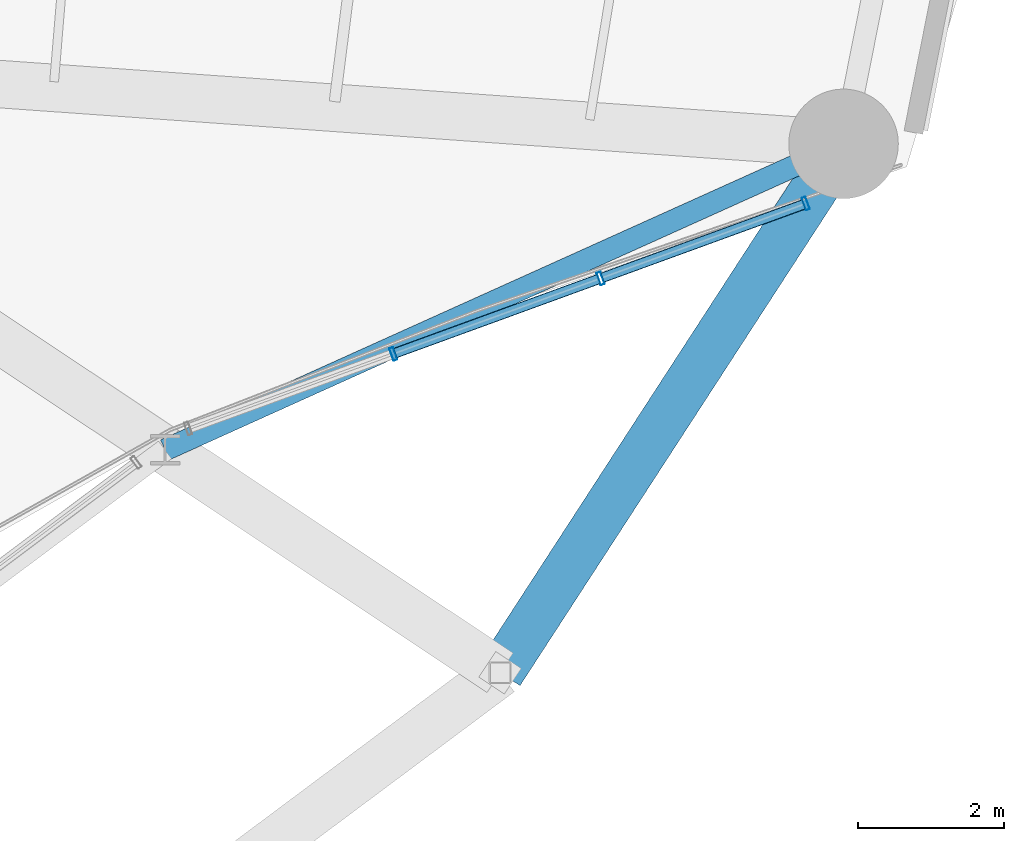
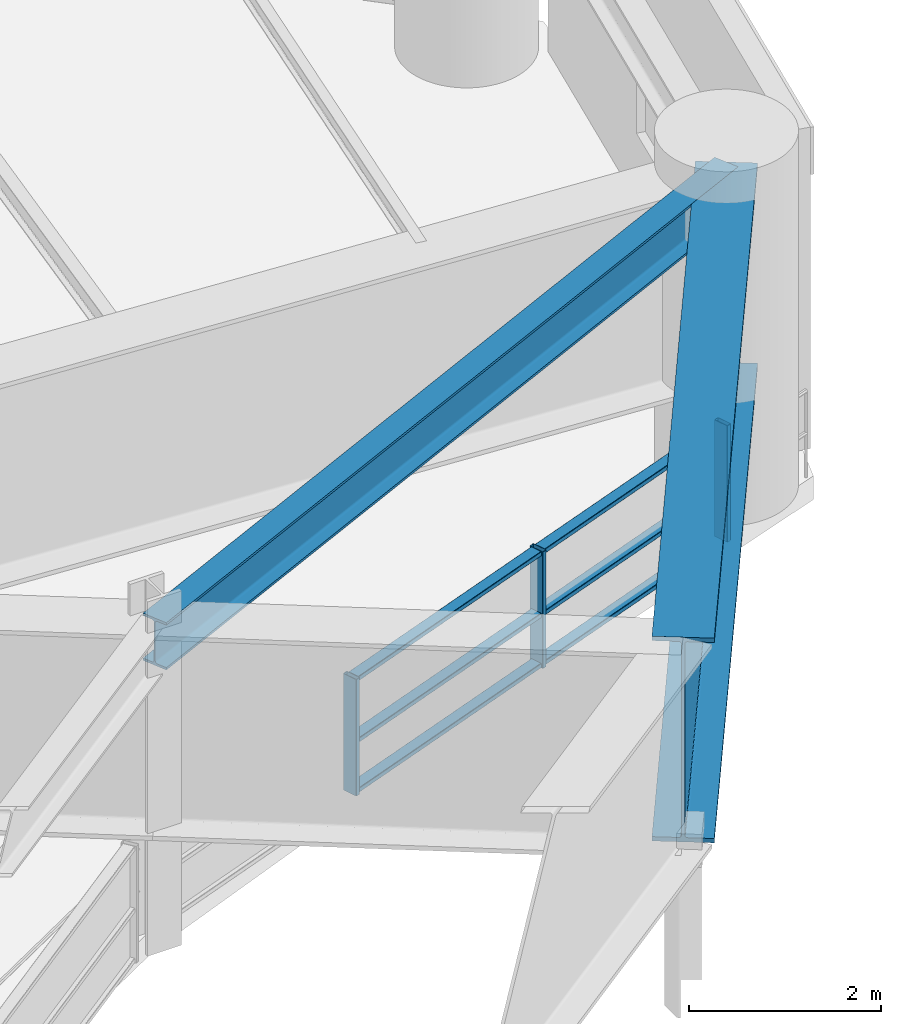
# One storey, part 24 of 53: 9 members, 2 beams, 1 element without a shape of its own.
"""IFC4 building model written with IfcOpenShell, lengths in metres."""

from ifc_helpers import new_model, si_unit, direction, frame, origin, origin_2d, place, context, subcontext, project, spatial, hollow_rectangle, i_section, extrude, material, layer, layer_set, material_profile, profile_set, type_object, element, aggregate, save


model = new_model("IFC4")

# Units and contexts
model_context = context("Model", 3, precision=1e-05, world=origin(), true_north=direction((0.0, 1.0)))
body_context = subcontext(model_context, "Body", "Model", "MODEL_VIEW")
ifc_project = project(units=[si_unit("LENGTHUNIT", "METRE"), si_unit("AREAUNIT", "SQUARE_METRE"), si_unit("VOLUMEUNIT", "CUBIC_METRE"), si_unit("PLANEANGLEUNIT", "RADIAN"), si_unit("MASSUNIT", "GRAM", prefix="KILO")], contexts=[model_context])

# Site, building, storey
site_placement = place(None, origin())
site = spatial("IfcSite", under=ifc_project, at=site_placement, CompositionType="ELEMENT")
building_placement = place(site_placement, origin())
building = spatial("IfcBuilding", under=site, at=building_placement, Name="Kelanora Arch Commons", CompositionType="ELEMENT")
storey_placement = place(building_placement, frame((0.0, 0.0, 9.0)))
storey = spatial("IfcBuildingStorey", under=building, at=storey_placement, Name="L02", CompositionType="ELEMENT", Elevation=9.0)

# Beams
ifc_material_1 = material(Name="Steel S355", Category="steel")
ifc_material_profile_1 = material_profile(ifc_material_1, i_section(OverallWidth=0.300048828125, OverallDepth=0.60009765625, WebThickness=0.015380859375, FlangeThickness=0.030029296875, FilletRadius=0.027099609375, at=origin_2d()), Name="HEB600")
ifc_profile_set_1 = profile_set([ifc_material_profile_1], Name="Steel S355")
beam_type_1 = type_object("IfcBeamType", Name="BM-SPN-Z1", PredefinedType="SPANDREL", material=ifc_profile_set_1)
beam_1_placement = place(storey_placement, frame((90.156494140625, 45.573974609375, 3.800048828125), z_axis=(0.911574258667, 0.411135465431, 0.0), x_axis=(-0.411135465431, 0.911574258667, 0.0)))
element("IfcBeam", 1, at=beam_1_placement, inside=storey, type_object=beam_type_1, Name="Courtyard Inner Edge Spandrel BSC-32 L02", PredefinedType="SPANDREL", context=body_context, shape_type="SweptSolid", body=[
    extrude(i_section(OverallWidth=0.300048828125, OverallDepth=0.60009765625, WebThickness=0.015380859375, FlangeThickness=0.030029296875, FilletRadius=0.027099609375, at=origin_2d()), origin(), (0.0, 0.0, 1.0), 10.191650390625),
])
ifc_material_profile_2 = material_profile(ifc_material_1, i_section(OverallWidth=0.64990234375, OverallDepth=2.60009765625, WebThickness=0.034912109375, FlangeThickness=0.054931640625, FilletRadius=0.028076171875, at=origin_2d()), Name="PG2600x650")
ifc_profile_set_2 = profile_set([ifc_material_profile_2], Name="Steel S355")
beam_type_2 = type_object("IfcBeamType", Name="BM-XFER-ARCH", PredefinedType="USERDEFINED", material=ifc_profile_set_2)
beam_2_placement = place(storey_placement, frame((94.744384765625, 42.521728515625, 2.800048828125), z_axis=(0.544585813928, 0.838705127722, 0.0), x_axis=(-0.838705127722, 0.544585813928, 0.0)))
element("IfcBeam", 2, at=beam_2_placement, inside=storey, type_object=beam_type_2, Name="Perimeter Spandrel Beam BS-32 L02", ObjectType="TRANSFER_GIRDER", PredefinedType="USERDEFINED", context=body_context, shape_type="SweptSolid", body=[
    extrude(i_section(OverallWidth=0.64990234375, OverallDepth=2.60009765625, WebThickness=0.034912109375, FlangeThickness=0.054931640625, FilletRadius=0.028076171875, at=origin_2d()), origin(), (0.0, 0.0, 1.0), 8.63525390625),
])

# Curtain wall, members
ifc_material_2 = material(Name="Terracotta ceramic-fritted low-E glass and aluminium", Category="masonry")
ifc_layer = layer(ifc_material_2, 0.2099609375)
ifc_layer_set = layer_set([ifc_layer], Name="Terracotta ceramic-fritted low-E glass and aluminium")
curtain_wall_type = type_object("IfcCurtainWallType", Name="CW-SYS-04", PredefinedType="NOTDEFINED", material=ifc_layer_set)
curtain_wall_placement = place(storey_placement, origin())
curtain_wall = element("IfcCurtainWall", 3, at=curtain_wall_placement, inside=storey, type_object=curtain_wall_type, Name="Unitised Curtain Wall L02-B16", PredefinedType="NOTDEFINED")
ifc_material_3 = material(Name="Powder-coated aluminium terracotta", Category="masonry")
ifc_material_profile_3 = material_profile(ifc_material_3, hollow_rectangle(XDim=0.179931640625, YDim=0.06005859375, WallThickness=0.0048828125, InnerFilletRadius=0.0048828125, OuterFilletRadius=0.010009765625, at=origin_2d()), Name="CWM180x60")
ifc_profile_set_3 = profile_set([ifc_material_profile_3], Name="Powder-coated aluminium terracotta")
member_type_1 = type_object("IfcMemberType", Name="CWM-HVY", PredefinedType="MULLION", material=ifc_profile_set_3)
member_1_placement = place(storey_placement, frame((93.282470703125, 46.888671875, 0.0), z_axis=(0.0, 0.0, 1.0), x_axis=(-0.342318215206, 0.939584077951, 0.0)))
member_1 = element("IfcMember", 4, at=member_1_placement, type_object=member_type_1, Name="CW-04 mullion 2", PredefinedType="MULLION", context=body_context, shape_type="SweptSolid", body=[
    extrude(hollow_rectangle(XDim=0.179931640625, YDim=0.06005859375, WallThickness=0.0048828125, InnerFilletRadius=0.0048828125, OuterFilletRadius=0.010009765625, at=origin_2d()), origin(), (0.0, 0.0, 1.0), 1.47998046875),
])
member_2_placement = place(storey_placement, frame((96.119873046875, 47.92236328125, 0.0), z_axis=(0.0, 0.0, 1.0), x_axis=(-0.342318215206, 0.939584077951, 0.0)))
member_2 = element("IfcMember", 5, at=member_2_placement, type_object=member_type_1, Name="CW-04 mullion 3", PredefinedType="MULLION", context=body_context, shape_type="SweptSolid", body=[
    extrude(hollow_rectangle(XDim=0.179931640625, YDim=0.06005859375, WallThickness=0.0048828125, InnerFilletRadius=0.0048828125, OuterFilletRadius=0.010009765625, at=origin_2d()), origin(), (0.0, 0.0, 1.0), 1.47998046875),
])
member_3_placement = place(storey_placement, frame((98.928955078125, 48.94580078125, 0.0), z_axis=(0.0, 0.0, 1.0), x_axis=(-0.342318215206, 0.939584077951, 0.0)))
member_3 = element("IfcMember", 6, at=member_3_placement, type_object=member_type_1, Name="CW-04 mullion 4", PredefinedType="MULLION", context=body_context, shape_type="SweptSolid", body=[
    extrude(hollow_rectangle(XDim=0.179931640625, YDim=0.06005859375, WallThickness=0.0048828125, InnerFilletRadius=0.0048828125, OuterFilletRadius=0.010009765625, at=origin_2d()), origin(), (0.0, 0.0, 1.0), 1.47998046875),
])
ifc_material_profile_4 = material_profile(ifc_material_3, hollow_rectangle(XDim=0.139892578125, YDim=0.06005859375, WallThickness=0.0048828125, InnerFilletRadius=0.0048828125, OuterFilletRadius=0.010009765625, at=origin_2d()), Name="CWT140x60")
ifc_profile_set_4 = profile_set([ifc_material_profile_4], Name="Powder-coated aluminium terracotta")
member_type_2 = type_object("IfcMemberType", Name="CWT-HVY", PredefinedType="USERDEFINED", material=ifc_profile_set_4)
member_4_placement = place(storey_placement, frame((93.310791015625, 46.89892578125, 0.030029296875), z_axis=(0.939576468846, 0.342339099711, 0.0), x_axis=(-0.342339099711, 0.939576468846, 0.0)))
member_4 = element("IfcMember", 7, at=member_4_placement, type_object=member_type_2, Name="CW-04 transom 2.1", ObjectType="TRANSOM", PredefinedType="USERDEFINED", context=body_context, shape_type="SweptSolid", body=[
    extrude(hollow_rectangle(XDim=0.139892578125, YDim=0.06005859375, WallThickness=0.0048828125, InnerFilletRadius=0.0048828125, OuterFilletRadius=0.010009765625, at=origin_2d()), origin(), (0.0, 0.0, 1.0), 2.95947265625),
])
member_5_placement = place(storey_placement, frame((93.310791015625, 46.89892578125, 0.666015625), z_axis=(0.939576468846, 0.342339099711, 0.0), x_axis=(-0.342339099711, 0.939576468846, 0.0)))
member_5 = element("IfcMember", 8, at=member_5_placement, type_object=member_type_2, Name="CW-04 transom 2.2", ObjectType="TRANSOM", PredefinedType="USERDEFINED", context=body_context, shape_type="SweptSolid", body=[
    extrude(hollow_rectangle(XDim=0.139892578125, YDim=0.06005859375, WallThickness=0.0048828125, InnerFilletRadius=0.0048828125, OuterFilletRadius=0.010009765625, at=origin_2d()), origin(), (0.0, 0.0, 1.0), 2.95947265625),
])
member_6_placement = place(storey_placement, frame((93.310791015625, 46.89892578125, 1.449951171875), z_axis=(0.939576468846, 0.342339099711, 0.0), x_axis=(-0.342339099711, 0.939576468846, 0.0)))
member_6 = element("IfcMember", 9, at=member_6_placement, type_object=member_type_2, Name="CW-04 transom 2.3", ObjectType="TRANSOM", PredefinedType="USERDEFINED", context=body_context, shape_type="SweptSolid", body=[
    extrude(hollow_rectangle(XDim=0.139892578125, YDim=0.06005859375, WallThickness=0.0048828125, InnerFilletRadius=0.0048828125, OuterFilletRadius=0.010009765625, at=origin_2d()), origin(), (0.0, 0.0, 1.0), 2.95947265625),
])
member_7_placement = place(storey_placement, frame((96.14794921875, 47.9326171875, 0.030029296875), z_axis=(0.939579128074, 0.342331801164, 0.0), x_axis=(-0.342331801164, 0.939579128074, 0.0)))
member_7 = element("IfcMember", 10, at=member_7_placement, type_object=member_type_2, Name="CW-04 transom 3.1", ObjectType="TRANSOM", PredefinedType="USERDEFINED", context=body_context, shape_type="SweptSolid", body=[
    extrude(hollow_rectangle(XDim=0.139892578125, YDim=0.06005859375, WallThickness=0.0048828125, InnerFilletRadius=0.0048828125, OuterFilletRadius=0.010009765625, at=origin_2d()), origin(), (0.0, 0.0, 1.0), 2.9296875),
])
member_8_placement = place(storey_placement, frame((96.14794921875, 47.9326171875, 0.666015625), z_axis=(0.939579128074, 0.342331801164, 0.0), x_axis=(-0.342331801164, 0.939579128074, 0.0)))
member_8 = element("IfcMember", 11, at=member_8_placement, type_object=member_type_2, Name="CW-04 transom 3.2", ObjectType="TRANSOM", PredefinedType="USERDEFINED", context=body_context, shape_type="SweptSolid", body=[
    extrude(hollow_rectangle(XDim=0.139892578125, YDim=0.06005859375, WallThickness=0.0048828125, InnerFilletRadius=0.0048828125, OuterFilletRadius=0.010009765625, at=origin_2d()), origin(), (0.0, 0.0, 1.0), 2.9296875),
])
member_9_placement = place(storey_placement, frame((96.14794921875, 47.9326171875, 1.449951171875), z_axis=(0.939579128074, 0.342331801164, 0.0), x_axis=(-0.342331801164, 0.939579128074, 0.0)))
member_9 = element("IfcMember", 12, at=member_9_placement, type_object=member_type_2, Name="CW-04 transom 3.3", ObjectType="TRANSOM", PredefinedType="USERDEFINED", context=body_context, shape_type="SweptSolid", body=[
    extrude(hollow_rectangle(XDim=0.139892578125, YDim=0.06005859375, WallThickness=0.0048828125, InnerFilletRadius=0.0048828125, OuterFilletRadius=0.010009765625, at=origin_2d()), origin(), (0.0, 0.0, 1.0), 2.9296875),
])
aggregate(curtain_wall, [member_1, member_2, member_3, member_4, member_5, member_6, member_7, member_8, member_9])

save(model, "model.ifc")
